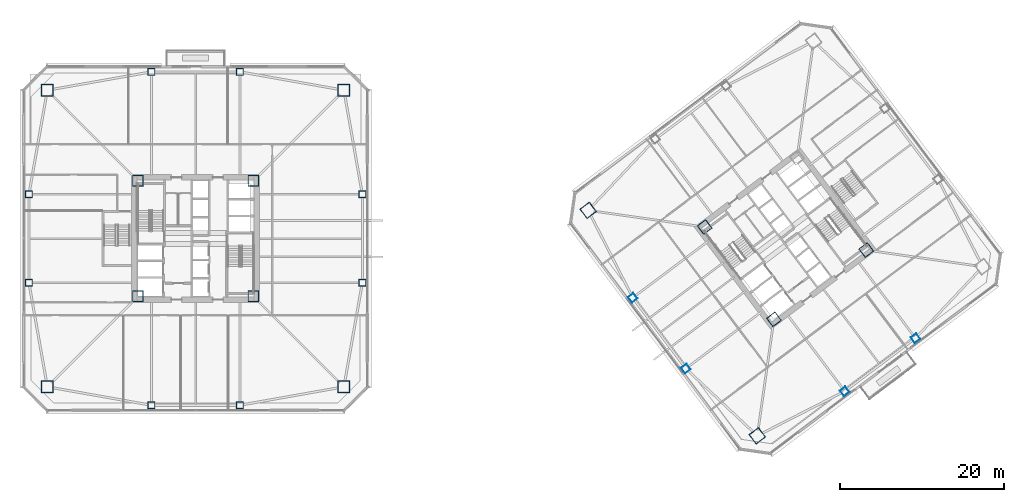
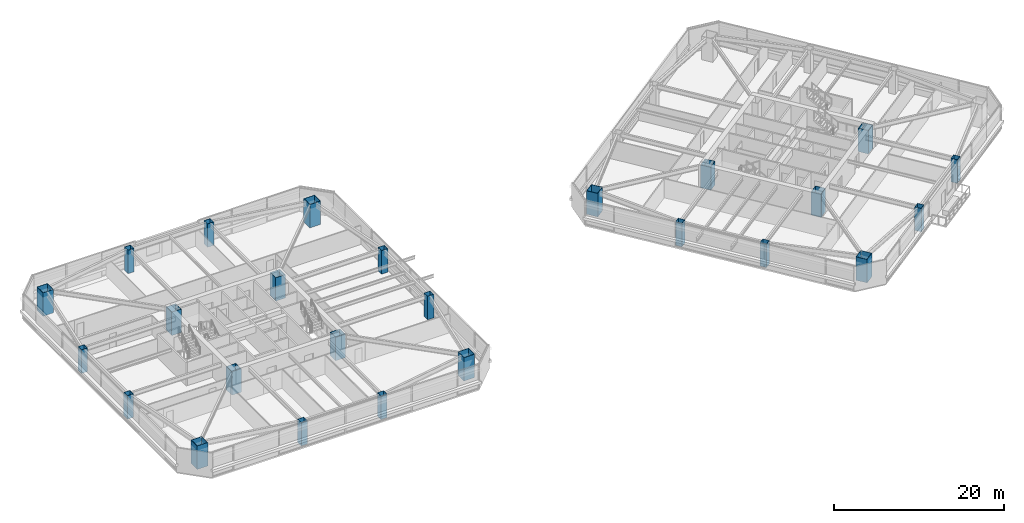
# One storey, part 1 of 47: 25 columns.
"""IFC4 building model written with IfcOpenShell, lengths in metres."""

from ifc_helpers import new_model, si_unit, direction, frame, origin, origin_2d, place, context, subcontext, project, spatial, hollow_rectangle, extrude, material, material_profile, profile_set, type_object, element, save


model = new_model("IFC4")

# Units and contexts
model_context = context("Model", 3, precision=1e-05, world=origin(), true_north=direction((0.0, 1.0)))
body_context = subcontext(model_context, "Body", "Model", "MODEL_VIEW")
ifc_project = project(units=[si_unit("LENGTHUNIT", "METRE"), si_unit("AREAUNIT", "SQUARE_METRE"), si_unit("VOLUMEUNIT", "CUBIC_METRE"), si_unit("PLANEANGLEUNIT", "RADIAN"), si_unit("MASSUNIT", "GRAM", prefix="KILO")], contexts=[model_context])

# Site, building, storey
site_placement = place(None, origin())
site = spatial("IfcSite", under=ifc_project, at=site_placement, CompositionType="ELEMENT")
building_placement = place(site_placement, origin())
building = spatial("IfcBuilding", under=site, at=building_placement, Name="Tashvorn Skyway Center", CompositionType="ELEMENT")
storey_placement = place(building_placement, frame((0.0, 0.0, 81.39990234375)))
storey = spatial("IfcBuildingStorey", under=building, at=storey_placement, Name="L21", CompositionType="ELEMENT", Elevation=81.39990234375)

# Columns
ifc_material = material(Name="Steel ASTM A572 Grade 50", Category="steel")
ifc_material_profile_1 = material_profile(ifc_material, hollow_rectangle(XDim=1.300048828125, YDim=1.300048828125, WallThickness=0.050048828125, at=origin_2d()), Name="BOX1300x1300x50")
ifc_profile_set_1 = profile_set([ifc_material_profile_1], Name="Steel ASTM A572 Grade 50")
column_type_1 = type_object("IfcColumnType", Name="COL-BOX1300x1300x50", PredefinedType="COLUMN", material=ifc_profile_set_1)
for number, where, z_axis, x_axis, name in (
    (1, (34.949951171875, 24.949951171875, 0.0), (0.0, 0.0, 1.0), (1.0, 0.0, 0.0), "Tower 1 L21 Core Corner Column CC-SW"),
    (2, (49.050048828125, 24.949951171875, 0.0), (0.0, 0.0, 1.0), (1.0, 0.0, 0.0), "Tower 1 L21 Core Corner Column CC-SE"),
    (3, (49.050048828125, 39.050048828125, 0.0), (0.0, 0.0, 1.0), (1.0, 0.0, 0.0), "Tower 1 L21 Core Corner Column CC-NE"),
    (4, (34.949951171875, 39.050048828125, 0.0), (0.0, 0.0, 1.0), (1.0, 0.0, 0.0), "Tower 1 L21 Core Corner Column CC-NW"),
    (5, (112.590087890625, 22.1298828125, 0.0), (0.0, 0.0, 1.0), (0.799999996291, 0.600000004945, 0.0), "Tower 2 L21 Core Corner Column CC-SW"),
    (6, (123.8701171875, 30.590087890625, 0.0), (0.0, 0.0, 1.0), (0.799999996291, 0.600000004945, 0.0), "Tower 2 L21 Core Corner Column CC-SE"),
    (7, (104.1298828125, 33.409912109375, 0.0), (0.0, 0.0, 1.0), (0.799999996291, 0.600000004945, 0.0), "Tower 2 L21 Core Corner Column CC-NW"),
):
    element("IfcColumn", number, at=place(storey_placement, frame(where, z_axis=z_axis, x_axis=x_axis)), inside=storey, type_object=column_type_1, Name=name, PredefinedType="COLUMN", context=body_context, shape_type="SweptSolid", body=[
        extrude(hollow_rectangle(XDim=1.300048828125, YDim=1.300048828125, WallThickness=0.050048828125, at=origin_2d()), origin(), (0.0, 0.0, 1.0), 3.35009765625),
    ])
ifc_material_profile_2 = material_profile(ifc_material, hollow_rectangle(XDim=1.449951171875, YDim=1.449951171875, WallThickness=0.054931640625, at=origin_2d()), Name="BOX1450x1450x55")
ifc_profile_set_2 = profile_set([ifc_material_profile_2], Name="Steel ASTM A572 Grade 50")
column_type_2 = type_object("IfcColumnType", Name="COL-BOX1450x1450x55", PredefinedType="COLUMN", material=ifc_profile_set_2)
for number, where, z_axis, x_axis, name in (
    (8, (23.89990234375, 13.89990234375, 0.0), (0.0, 0.0, 1.0), (1.0, 0.0, 0.0), "Tower 1 L21 Mega-Column MC-SW"),
    (9, (60.10009765625, 13.89990234375, 0.0), (0.0, 0.0, 1.0), (1.0, 0.0, 0.0), "Tower 1 L21 Mega-Column MC-SE"),
    (10, (60.10009765625, 50.10009765625, 0.0), (0.0, 0.0, 1.0), (1.0, 0.0, 0.0), "Tower 1 L21 Mega-Column MC-NE"),
    (11, (23.89990234375, 50.10009765625, 0.0), (0.0, 0.0, 1.0), (1.0, 0.0, 0.0), "Tower 1 L21 Mega-Column MC-NW"),
    (12, (110.56005859375, 7.919921875, 0.0), (0.0, 0.0, 1.0), (0.799999996291, 0.600000004945, 0.0), "Tower 2 L21 Mega-Column MC-SW"),
    (13, (89.919921875, 35.43994140625, 0.0), (0.0, 0.0, 1.0), (0.799999996291, 0.600000004945, 0.0), "Tower 2 L21 Mega-Column MC-NW"),
):
    element("IfcColumn", number, at=place(storey_placement, frame(where, z_axis=z_axis, x_axis=x_axis)), inside=storey, type_object=column_type_2, Name=name, PredefinedType="COLUMN", context=body_context, shape_type="SweptSolid", body=[
        extrude(hollow_rectangle(XDim=1.449951171875, YDim=1.449951171875, WallThickness=0.054931640625, at=origin_2d()), origin(), (0.0, 0.0, 1.0), 3.35009765625),
    ])
ifc_material_profile_3 = material_profile(ifc_material, hollow_rectangle(XDim=0.85009765625, YDim=0.85009765625, WallThickness=0.034912109375, at=origin_2d()), Name="BOX850x850x35")
ifc_profile_set_3 = profile_set([ifc_material_profile_3], Name="Steel ASTM A572 Grade 50")
column_type_3 = type_object("IfcColumnType", Name="COL-BOX850x850x35", PredefinedType="COLUMN", material=ifc_profile_set_3)
for number, where, z_axis, x_axis, name in (
    (14, (36.60009765625, 11.64990234375, 0.0), (0.0, 0.0, 1.0), (1.0, 0.0, 0.0), "Tower 1 L21 Perimeter Column FC-S1"),
    (15, (47.39990234375, 11.64990234375, 0.0), (0.0, 0.0, 1.0), (1.0, 0.0, 0.0), "Tower 1 L21 Perimeter Column FC-S2"),
    (16, (62.35009765625, 26.60009765625, 0.0), (0.0, 0.0, 1.0), (1.0, 0.0, 0.0), "Tower 1 L21 Perimeter Column FC-E1"),
    (17, (62.35009765625, 37.39990234375, 0.0), (0.0, 0.0, 1.0), (1.0, 0.0, 0.0), "Tower 1 L21 Perimeter Column FC-E2"),
    (18, (47.39990234375, 52.35009765625, 0.0), (0.0, 0.0, 1.0), (1.0, 0.0, 0.0), "Tower 1 L21 Perimeter Column FC-N1"),
    (19, (36.60009765625, 52.35009765625, 0.0), (0.0, 0.0, 1.0), (1.0, 0.0, 0.0), "Tower 1 L21 Perimeter Column FC-N2"),
    (20, (21.64990234375, 37.39990234375, 0.0), (0.0, 0.0, 1.0), (1.0, 0.0, 0.0), "Tower 1 L21 Perimeter Column FC-W1"),
    (21, (21.64990234375, 26.60009765625, 0.0), (0.0, 0.0, 1.0), (1.0, 0.0, 0.0), "Tower 1 L21 Perimeter Column FC-W2"),
    (22, (121.22998046875, 13.360107421875, 0.0), (0.0, 0.0, 1.0), (0.799999996291, 0.600000004945, 0.0), "Tower 2 L21 Perimeter Column FC-S1"),
    (23, (129.8701171875, 19.840087890625, 0.0), (0.0, 0.0, 1.0), (0.799999996291, 0.600000004945, 0.0), "Tower 2 L21 Perimeter Column FC-S2"),
    (24, (95.360107421875, 24.77001953125, 0.0), (0.0, 0.0, 1.0), (0.799999996291, 0.600000004945, 0.0), "Tower 2 L21 Perimeter Column FC-W1"),
    (25, (101.840087890625, 16.1298828125, 0.0), (0.0, 0.0, 1.0), (0.799999996291, 0.600000004945, 0.0), "Tower 2 L21 Perimeter Column FC-W2"),
):
    element("IfcColumn", number, at=place(storey_placement, frame(where, z_axis=z_axis, x_axis=x_axis)), inside=storey, type_object=column_type_3, Name=name, PredefinedType="COLUMN", context=body_context, shape_type="SweptSolid", body=[
        extrude(hollow_rectangle(XDim=0.85009765625, YDim=0.85009765625, WallThickness=0.034912109375, at=origin_2d()), origin(), (0.0, 0.0, 1.0), 3.35009765625),
    ])

save(model, "model.ifc")
